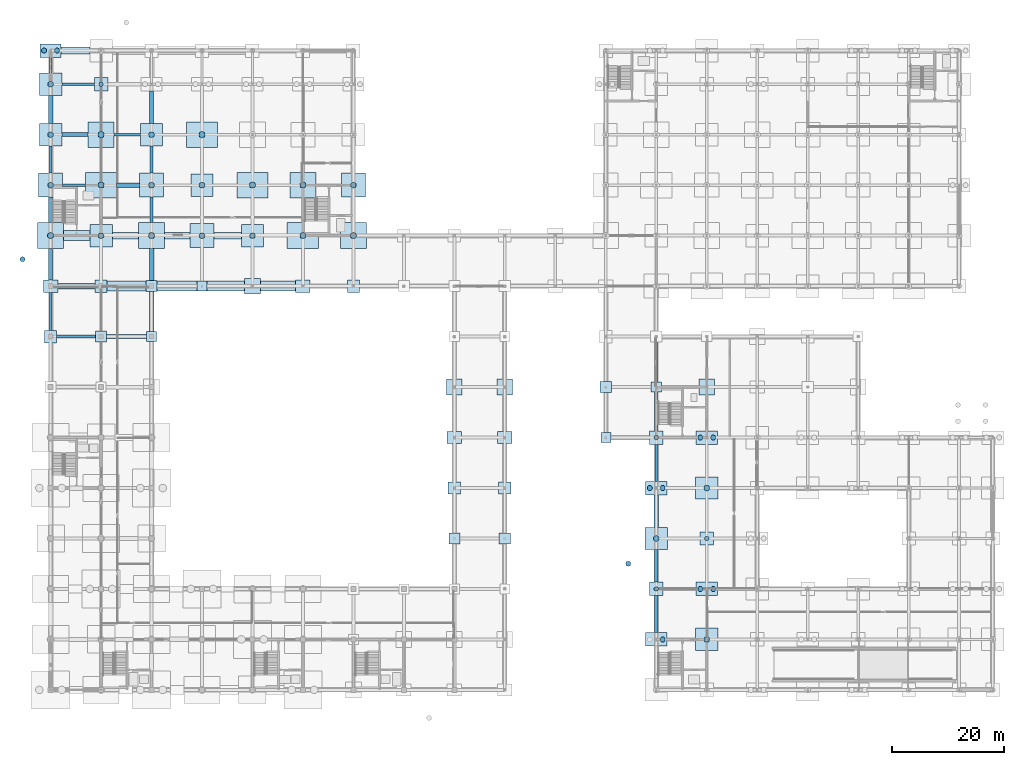
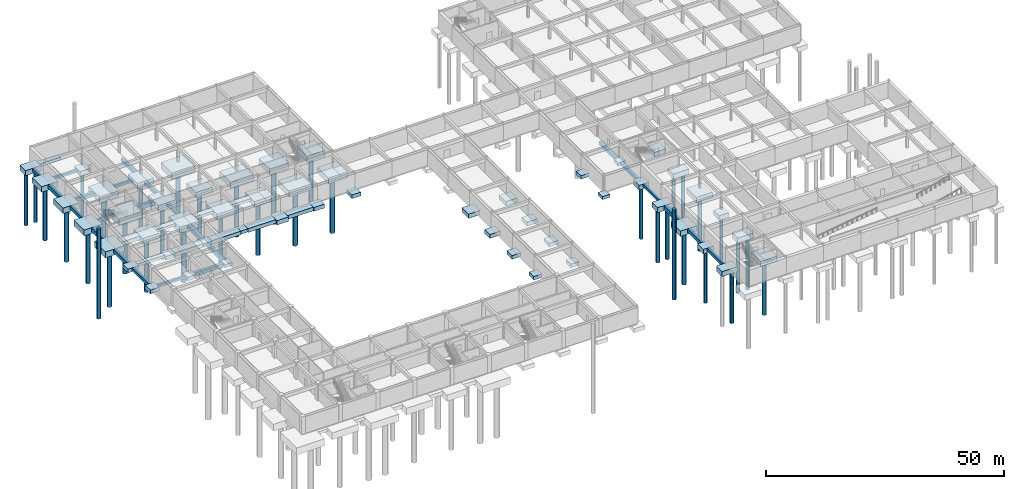
# One storey, part 2 of 41: 87 footings, 37 piles.
"""IFC4 building model written with IfcOpenShell, lengths in metres."""

from ifc_helpers import new_model, si_unit, direction, frame, origin, origin_2d, place, context, subcontext, project, spatial, rectangle, circle, extrude, material, material_profile, profile_set, type_object, element, save


model = new_model("IFC4")

# Units and contexts
model_context = context("Model", 3, precision=1e-05, world=origin(), true_north=direction((0.0, 1.0)))
body_context = subcontext(model_context, "Body", "Model", "MODEL_VIEW")
ifc_project = project(units=[si_unit("LENGTHUNIT", "METRE"), si_unit("AREAUNIT", "SQUARE_METRE"), si_unit("VOLUMEUNIT", "CUBIC_METRE"), si_unit("PLANEANGLEUNIT", "RADIAN"), si_unit("MASSUNIT", "GRAM", prefix="KILO")], contexts=[model_context])

# Site, building, storey
site_placement = place(None, origin())
site = spatial("IfcSite", under=ifc_project, at=site_placement, CompositionType="ELEMENT")
building_placement = place(site_placement, origin())
building = spatial("IfcBuilding", under=site, at=building_placement, Name="Palais des Congres Ocreval", CompositionType="ELEMENT")
storey_placement = place(building_placement, frame((0.0, 0.0, -8.9599609375)))
storey = spatial("IfcBuildingStorey", under=building, at=storey_placement, Name="B2", CompositionType="ELEMENT", Elevation=-8.9599609375)

# Piles
ifc_material = material(Name="Concrete C35/45", Category="concrete")
ifc_material_profile_1 = material_profile(ifc_material, circle(Radius=0.5, at=origin_2d()), Name="BORED PILE 1000")
ifc_profile_set_1 = profile_set([ifc_material_profile_1], Name="Concrete C35/45")
pile_type_1 = type_object("IfcPileType", Name="Bored Pile D1000 Concrete C35/45", PredefinedType="BORED", material=ifc_profile_set_1)
for number, where, z_axis, x_axis, name in (
    (1, (0.0, 90.0, -2.10009765625), (0.0, 0.0, -1.0), (1.0, 0.0, 0.0), "Bored Pile PI03"),
    (2, (0.0, 99.0, -2.0), (0.0, 0.0, -1.0), (1.0, 0.0, 0.0), "Bored Pile PI03"),
    (3, (0.0, 108.0, -2.0), (0.0, 0.0, -1.0), (1.0, 0.0, 0.0), "Bored Pile PI03"),
    (4, (9.0, 81.0, -2.0), (0.0, 0.0, -1.0), (1.0, 0.0, 0.0), "Bored Pile PI03"),
    (5, (18.0, 90.0, -2.10009765625), (0.0, 0.0, -1.0), (1.0, 0.0, 0.0), "Bored Pile PI03"),
    (6, (18.0, 99.0, -2.0), (0.0, 0.0, -1.0), (1.0, 0.0, 0.0), "Bored Pile PI03"),
    (7, (27.0, 81.0, -2.10009765625), (0.0, 0.0, -1.0), (1.0, 0.0, 0.0), "Bored Pile PI03"),
    (8, (27.0, 90.0, -2.0), (0.0, 0.0, -1.0), (1.0, 0.0, 0.0), "Bored Pile PI03"),
    (9, (36.0, 81.0, -2.0), (0.0, 0.0, -1.0), (1.0, 0.0, 0.0), "Bored Pile PI03"),
    (10, (54.0, 90.0, -2.10009765625), (0.0, 0.0, -1.0), (1.0, 0.0, 0.0), "Bored Pile PI03"),
    (11, (108.0, 27.0, -2.0), (0.0, 0.0, -1.0), (1.0, 0.0, 0.0), "Bored Pile PI03"),
    (12, (117.0, 9.0, -2.0), (0.0, 0.0, -1.0), (1.0, 0.0, 0.0), "Bored Pile PI03"),
    (13, (117.0, 36.0, -2.0), (0.0, 0.0, -1.0), (1.0, 0.0, 0.0), "Bored Pile PI03"),
):
    element("IfcPile", number, at=place(storey_placement, frame(where, z_axis=z_axis, x_axis=x_axis)), inside=storey, type_object=pile_type_1, Name=name, PredefinedType="BORED", context=body_context, shape_type="SweptSolid", body=[
        extrude(circle(Radius=0.5, at=origin_2d()), origin(), (0.0, 0.0, 1.0), 14.0),
    ])
ifc_material_profile_2 = material_profile(ifc_material, circle(Radius=0.550048828125, at=origin_2d()), Name="BORED PILE 1100")
ifc_profile_set_2 = profile_set([ifc_material_profile_2], Name="Concrete C35/45")
pile_type_2 = type_object("IfcPileType", Name="Bored Pile D1100 Concrete C35/45", PredefinedType="BORED", material=ifc_profile_set_2)
for number, where, z_axis, x_axis, name in (
    (14, (0.0, 81.0, -2.10009765625), (0.0, 0.0, -1.0), (1.0, 0.0, 0.0), "Bored Pile PI04"),
    (15, (9.0, 90.0, -2.199951171875), (0.0, 0.0, -1.0), (1.0, 0.0, 0.0), "Bored Pile PI04"),
    (16, (9.0, 99.0, -2.10009765625), (0.0, 0.0, -1.0), (1.0, 0.0, 0.0), "Bored Pile PI04"),
    (17, (18.0, 81.0, -2.10009765625), (0.0, 0.0, -1.0), (1.0, 0.0, 0.0), "Bored Pile PI04"),
    (18, (27.0, 99.0, -2.199951171875), (0.0, 0.0, -1.0), (1.0, 0.0, 0.0), "Bored Pile PI04"),
    (19, (36.0, 90.0, -2.199951171875), (0.0, 0.0, -1.0), (1.0, 0.0, 0.0), "Bored Pile PI04"),
    (20, (45.0, 81.0, -2.199951171875), (0.0, 0.0, -1.0), (1.0, 0.0, 0.0), "Bored Pile PI04"),
    (21, (45.0, 90.0, -2.10009765625), (0.0, 0.0, -1.0), (1.0, 0.0, 0.0), "Bored Pile PI04"),
    (22, (54.0, 81.0, -2.10009765625), (0.0, 0.0, -1.0), (1.0, 0.0, 0.0), "Bored Pile PI04"),
):
    element("IfcPile", number, at=place(storey_placement, frame(where, z_axis=z_axis, x_axis=x_axis)), inside=storey, type_object=pile_type_2, Name=name, PredefinedType="BORED", context=body_context, shape_type="SweptSolid", body=[
        extrude(circle(Radius=0.550048828125, at=origin_2d()), origin(), (0.0, 0.0, 1.0), 14.5),
    ])
ifc_material_profile_3 = material_profile(ifc_material, circle(Radius=0.39990234375, at=origin_2d()), Name="BORED PILE 800")
ifc_profile_set_3 = profile_set([ifc_material_profile_3], Name="Concrete C35/45")
pile_type_3 = type_object("IfcPileType", Name="Bored Pile D800 Concrete C35/45", PredefinedType="BORED", material=ifc_profile_set_3)
for number, where, z_axis, x_axis, name in (
    (23, (9.0, 108.0, -1.800048828125), (0.0, 0.0, -1.0), (1.0, 0.0, 0.0), "Bored Pile PI01"),
    (24, (108.0, 18.0, -1.800048828125), (0.0, 0.0, -1.0), (1.0, 0.0, 0.0), "Bored Pile PI01"),
    (25, (108.0, 45.0, -1.800048828125), (0.0, 0.0, -1.0), (1.0, 0.0, 0.0), "Bored Pile PI01"),
    (26, (117.0, 27.0, -1.800048828125), (0.0, 0.0, -1.0), (1.0, 0.0, 0.0), "Bored Pile PI01"),
):
    element("IfcPile", number, at=place(storey_placement, frame(where, z_axis=z_axis, x_axis=x_axis)), inside=storey, type_object=pile_type_3, Name=name, PredefinedType="BORED", context=body_context, shape_type="SweptSolid", body=[
        extrude(circle(Radius=0.39990234375, at=origin_2d()), origin(), (0.0, 0.0, 1.0), 13.5),
    ])
ifc_material_profile_4 = material_profile(ifc_material, circle(Radius=0.449951171875, at=origin_2d()), Name="BORED PILE 900")
ifc_profile_set_4 = profile_set([ifc_material_profile_4], Name="Concrete C35/45")
pile_type_4 = type_object("IfcPileType", Name="Bored Pile D900 Concrete C35/45", PredefinedType="BORED", material=ifc_profile_set_4)
for number, where, z_axis, x_axis, name in (
    (27, (-1.14990234375, 114.0, -1.900146484375), (0.0, 0.0, -1.0), (1.0, 0.0, 0.0), "Bored Pile PI02"),
    (28, (1.14990234375, 114.0, -1.900146484375), (0.0, 0.0, -1.0), (1.0, 0.0, 0.0), "Bored Pile PI02"),
    (29, (109.14990234375, 9.0, -1.900146484375), (0.0, 0.0, -1.0), (1.0, 0.0, 0.0), "Bored Pile PI02"),
    (30, (106.85009765625, 36.0, -1.900146484375), (0.0, 0.0, -1.0), (1.0, 0.0, 0.0), "Bored Pile PI02"),
    (31, (109.14990234375, 36.0, -1.900146484375), (0.0, 0.0, -1.0), (1.0, 0.0, 0.0), "Bored Pile PI02"),
    (32, (115.85009765625, 18.0, -1.900146484375), (0.0, 0.0, -1.0), (1.0, 0.0, 0.0), "Bored Pile PI02"),
    (33, (118.14990234375, 18.0, -1.900146484375), (0.0, 0.0, -1.0), (1.0, 0.0, 0.0), "Bored Pile PI02"),
    (34, (115.85009765625, 45.0, -1.900146484375), (0.0, 0.0, -1.0), (1.0, 0.0, 0.0), "Bored Pile PI02"),
    (35, (118.14990234375, 45.0, -1.900146484375), (0.0, 0.0, -1.0), (1.0, 0.0, 0.0), "Bored Pile PI02"),
):
    element("IfcPile", number, at=place(storey_placement, frame(where, z_axis=z_axis, x_axis=x_axis)), inside=storey, type_object=pile_type_4, Name=name, PredefinedType="BORED", context=body_context, shape_type="SweptSolid", body=[
        extrude(circle(Radius=0.449951171875, at=origin_2d()), origin(), (0.0, 0.0, 1.0), 13.5),
    ])
for number, where, z_axis, x_axis, name in (
    (36, (-5.0, 76.800048828125, 7.679931640625), (0.0, 0.0, -1.0), (1.0, 0.0, 0.0), "West Forecourt Accessible PMR Ramp R3 Threshold Bored Pile"),
    (37, (103.0, 22.5, 7.679931640625), (0.0, 0.0, -1.0), (1.0, 0.0, 0.0), "Cour d Ocre Cloister Accessible PMR Ramp R5 Threshold Bored Pile"),
):
    element("IfcPile", number, at=place(storey_placement, frame(where, z_axis=z_axis, x_axis=x_axis)), inside=storey, type_object=pile_type_4, Name=name, PredefinedType="BORED", context=body_context, shape_type="SweptSolid", body=[
        extrude(circle(Radius=0.449951171875, at=origin_2d()), origin(), (0.0, 0.0, 1.0), 23.080078125),
    ])

# Footings
footing_type_1 = type_object("IfcFootingType", Name="Ground Tie Beam 500x700 Concrete C35/45", PredefinedType="FOOTING_BEAM", material=ifc_material)
footing_1_placement = place(storey_placement, frame((4.550048828125, 63.0, -1.2998046875), z_axis=(0.0, 0.0, 1.0), x_axis=(1.0, 0.0, 0.0)))
element("IfcFooting", 38, at=footing_1_placement, inside=storey, type_object=footing_type_1, Name="Foundation Beam TB04", PredefinedType="FOOTING_BEAM", context=body_context, shape_type="SweptSolid", body=[
    extrude(rectangle(XDim=6.89990234375, YDim=0.5, at=origin_2d()), origin(), (0.0, 0.0, 1.0), 0.699951171875),
])
footing_2_placement = place(storey_placement, frame((4.175048828125, 90.0, -1.2998046875), z_axis=(0.0, 0.0, 1.0), x_axis=(1.0, 0.0, 0.0)))
element("IfcFooting", 39, at=footing_2_placement, inside=storey, type_object=footing_type_1, Name="Foundation Beam TB04", PredefinedType="FOOTING_BEAM", context=body_context, shape_type="SweptSolid", body=[
    extrude(rectangle(XDim=4.050048828125, YDim=0.5, at=origin_2d()), origin(), (0.0, 0.0, 1.0), 0.699951171875),
])
footing_3_placement = place(storey_placement, frame((4.89990234375, 108.0, -1.2998046875), z_axis=(0.0, 0.0, 1.0), x_axis=(1.0, 0.0, 0.0)))
element("IfcFooting", 40, at=footing_3_placement, inside=storey, type_object=footing_type_1, Name="Foundation Beam TB04", PredefinedType="FOOTING_BEAM", context=body_context, shape_type="SweptSolid", body=[
    extrude(rectangle(XDim=5.800048828125, YDim=0.5, at=origin_2d()), origin(), (0.0, 0.0, 1.0), 0.699951171875),
])
footing_4_placement = place(storey_placement, frame((13.64990234375, 99.0, -1.2998046875), z_axis=(0.0, 0.0, 1.0), x_axis=(1.0, 0.0, 0.0)))
element("IfcFooting", 41, at=footing_4_placement, inside=storey, type_object=footing_type_1, Name="Foundation Beam TB04", PredefinedType="FOOTING_BEAM", context=body_context, shape_type="SweptSolid", body=[
    extrude(rectangle(XDim=4.699951171875, YDim=0.5, at=origin_2d()), origin(), (0.0, 0.0, 1.0), 0.699951171875),
])
footing_5_placement = place(storey_placement, frame((18.0, 85.574951171875, -1.2998046875), z_axis=(0.0, 0.0, 1.0), x_axis=(0.0, 1.0, 0.0)))
element("IfcFooting", 42, at=footing_5_placement, inside=storey, type_object=footing_type_1, Name="Foundation Beam TB04", PredefinedType="FOOTING_BEAM", context=body_context, shape_type="SweptSolid", body=[
    extrude(rectangle(XDim=4.550048828125, YDim=0.5, at=origin_2d()), origin(), (0.0, 0.0, 1.0), 0.699951171875),
])
footing_6_placement = place(storey_placement, frame((108.0, 40.5, -1.2998046875), z_axis=(0.0, 0.0, 1.0), x_axis=(0.0, 1.0, 0.0)))
element("IfcFooting", 43, at=footing_6_placement, inside=storey, type_object=footing_type_1, Name="Foundation Beam TB04", PredefinedType="FOOTING_BEAM", context=body_context, shape_type="SweptSolid", body=[
    extrude(rectangle(XDim=6.60009765625, YDim=0.5, at=origin_2d()), origin(), (0.0, 0.0, 1.0), 0.699951171875),
])
footing_type_2 = type_object("IfcFootingType", Name="Ground Tie Beam 600x800 Concrete C35/45", PredefinedType="FOOTING_BEAM", material=ifc_material)
footing_7_placement = place(storey_placement, frame((0.0, 67.5, -1.39990234375), z_axis=(0.0, 0.0, 1.0), x_axis=(0.0, 1.0, 0.0)))
element("IfcFooting", 44, at=footing_7_placement, inside=storey, type_object=footing_type_2, Name="Foundation Beam TB01", PredefinedType="FOOTING_BEAM", context=body_context, shape_type="SweptSolid", body=[
    extrude(rectangle(XDim=6.800048828125, YDim=0.60009765625, at=origin_2d()), origin(), (0.0, 0.0, 1.0), 0.800048828125),
])
footing_8_placement = place(storey_placement, frame((0.0, 94.574951171875, -1.39990234375), z_axis=(0.0, 0.0, 1.0), x_axis=(0.0, 1.0, 0.0)))
element("IfcFooting", 45, at=footing_8_placement, inside=storey, type_object=footing_type_2, Name="Foundation Beam TB01", PredefinedType="FOOTING_BEAM", context=body_context, shape_type="SweptSolid", body=[
    extrude(rectangle(XDim=4.85009765625, YDim=0.60009765625, at=origin_2d()), origin(), (0.0, 0.0, 1.0), 0.800048828125),
])
footing_9_placement = place(storey_placement, frame((0.0, 111.39990234375, -1.39990234375), z_axis=(0.0, 0.0, 1.0), x_axis=(0.0, 1.0, 0.0)))
element("IfcFooting", 46, at=footing_9_placement, inside=storey, type_object=footing_type_2, Name="Foundation Beam TB01", PredefinedType="FOOTING_BEAM", context=body_context, shape_type="SweptSolid", body=[
    extrude(rectangle(XDim=2.800048828125, YDim=0.60009765625, at=origin_2d()), origin(), (0.0, 0.0, 1.0), 0.800048828125),
])
footing_10_placement = place(storey_placement, frame((18.0, 94.574951171875, -1.39990234375), z_axis=(0.0, 0.0, 1.0), x_axis=(0.0, 1.0, 0.0)))
element("IfcFooting", 47, at=footing_10_placement, inside=storey, type_object=footing_type_2, Name="Foundation Beam TB01", PredefinedType="FOOTING_BEAM", context=body_context, shape_type="SweptSolid", body=[
    extrude(rectangle(XDim=4.85009765625, YDim=0.60009765625, at=origin_2d()), origin(), (0.0, 0.0, 1.0), 0.800048828125),
])
footing_11_placement = place(storey_placement, frame((108.0, 13.5, -1.39990234375), z_axis=(0.0, 0.0, 1.0), x_axis=(0.0, 1.0, 0.0)))
element("IfcFooting", 48, at=footing_11_placement, inside=storey, type_object=footing_type_2, Name="Foundation Beam TB01", PredefinedType="FOOTING_BEAM", context=body_context, shape_type="SweptSolid", body=[
    extrude(rectangle(XDim=6.60009765625, YDim=0.60009765625, at=origin_2d()), origin(), (0.0, 0.0, 1.0), 0.800048828125),
])
footing_12_placement = place(storey_placement, frame((108.0, 49.64990234375, -1.39990234375), z_axis=(0.0, 0.0, 1.0), x_axis=(0.0, 1.0, 0.0)))
element("IfcFooting", 49, at=footing_12_placement, inside=storey, type_object=footing_type_2, Name="Foundation Beam TB01", PredefinedType="FOOTING_BEAM", context=body_context, shape_type="SweptSolid", body=[
    extrude(rectangle(XDim=6.89990234375, YDim=0.60009765625, at=origin_2d()), origin(), (0.0, 0.0, 1.0), 0.800048828125),
])
footing_type_3 = type_object("IfcFootingType", Name="Ground Tie Beam 700x900 Concrete C35/45", PredefinedType="FOOTING_BEAM", material=ifc_material)
footing_13_placement = place(storey_placement, frame((0.0, 75.89990234375, -1.5), z_axis=(0.0, 0.0, 1.0), x_axis=(0.0, 1.0, 0.0)))
element("IfcFooting", 50, at=footing_13_placement, inside=storey, type_object=footing_type_3, Name="Foundation Beam TB02", PredefinedType="FOOTING_BEAM", context=body_context, shape_type="SweptSolid", body=[
    extrude(rectangle(XDim=5.60009765625, YDim=0.699951171875, at=origin_2d()), origin(), (0.0, 0.0, 1.0), 0.89990234375),
])
footing_14_placement = place(storey_placement, frame((4.35009765625, 99.0, -1.5), z_axis=(0.0, 0.0, 1.0), x_axis=(1.0, 0.0, 0.0)))
element("IfcFooting", 51, at=footing_14_placement, inside=storey, type_object=footing_type_3, Name="Foundation Beam TB02", PredefinedType="FOOTING_BEAM", context=body_context, shape_type="SweptSolid", body=[
    extrude(rectangle(XDim=4.699951171875, YDim=0.699951171875, at=origin_2d()), origin(), (0.0, 0.0, 1.0), 0.89990234375),
])
for number, where, z_axis, x_axis, name in (
    (52, (13.550048828125, 63.0, -1.5), (0.0, 0.0, 1.0), (1.0, 0.0, 0.0), "Foundation Beam TB02"),
    (53, (18.0, 67.449951171875, -1.5), (0.0, 0.0, 1.0), (0.0, 1.0, 0.0), "Foundation Beam TB02"),
):
    element("IfcFooting", number, at=place(storey_placement, frame(where, z_axis=z_axis, x_axis=x_axis)), inside=storey, type_object=footing_type_3, Name=name, PredefinedType="FOOTING_BEAM", context=body_context, shape_type="SweptSolid", body=[
        extrude(rectangle(XDim=7.10009765625, YDim=0.699951171875, at=origin_2d()), origin(), (0.0, 0.0, 1.0), 0.89990234375),
    ])
for number, where, z_axis, x_axis, name in (
    (54, (18.0, 103.89990234375, -1.5), (0.0, 0.0, 1.0), (0.0, 1.0, 0.0), "Foundation Beam TB02"),
    (55, (108.0, 22.10009765625, -1.5), (0.0, 0.0, 1.0), (0.0, 1.0, 0.0), "Foundation Beam TB02"),
):
    element("IfcFooting", number, at=place(storey_placement, frame(where, z_axis=z_axis, x_axis=x_axis)), inside=storey, type_object=footing_type_3, Name=name, PredefinedType="FOOTING_BEAM", context=body_context, shape_type="SweptSolid", body=[
        extrude(rectangle(XDim=5.800048828125, YDim=0.699951171875, at=origin_2d()), origin(), (0.0, 0.0, 1.0), 0.89990234375),
    ])
footing_15_placement = place(storey_placement, frame((108.0, 58.449951171875, -1.5), z_axis=(0.0, 0.0, 1.0), x_axis=(0.0, 1.0, 0.0)))
element("IfcFooting", 56, at=footing_15_placement, inside=storey, type_object=footing_type_3, Name="Foundation Beam TB02", PredefinedType="FOOTING_BEAM", context=body_context, shape_type="SweptSolid", body=[
    extrude(rectangle(XDim=7.10009765625, YDim=0.699951171875, at=origin_2d()), origin(), (0.0, 0.0, 1.0), 0.89990234375),
])
footing_type_4 = type_object("IfcFootingType", Name="Ground Tie Beam 800x1000 Concrete C35/45", PredefinedType="FOOTING_BEAM", material=ifc_material)
footing_16_placement = place(storey_placement, frame((0.0, 85.574951171875, -1.60009765625), z_axis=(0.0, 0.0, 1.0), x_axis=(0.0, 1.0, 0.0)))
element("IfcFooting", 57, at=footing_16_placement, inside=storey, type_object=footing_type_4, Name="Foundation Beam TB03", PredefinedType="FOOTING_BEAM", context=body_context, shape_type="SweptSolid", body=[
    extrude(rectangle(XDim=4.550048828125, YDim=0.800048828125, at=origin_2d()), origin(), (0.0, 0.0, 1.0), 1.0),
])
footing_17_placement = place(storey_placement, frame((0.0, 103.5, -1.60009765625), z_axis=(0.0, 0.0, 1.0), x_axis=(0.0, 1.0, 0.0)))
element("IfcFooting", 58, at=footing_17_placement, inside=storey, type_object=footing_type_4, Name="Foundation Beam TB03", PredefinedType="FOOTING_BEAM", context=body_context, shape_type="SweptSolid", body=[
    extrude(rectangle(XDim=5.0, YDim=0.800048828125, at=origin_2d()), origin(), (0.0, 0.0, 1.0), 1.0),
])
footing_18_placement = place(storey_placement, frame((13.824951171875, 90.0, -1.60009765625), z_axis=(0.0, 0.0, 1.0), x_axis=(1.0, 0.0, 0.0)))
element("IfcFooting", 59, at=footing_18_placement, inside=storey, type_object=footing_type_4, Name="Foundation Beam TB03", PredefinedType="FOOTING_BEAM", context=body_context, shape_type="SweptSolid", body=[
    extrude(rectangle(XDim=4.050048828125, YDim=0.800048828125, at=origin_2d()), origin(), (0.0, 0.0, 1.0), 1.0),
])
footing_19_placement = place(storey_placement, frame((18.0, 75.85009765625, -1.60009765625), z_axis=(0.0, 0.0, 1.0), x_axis=(0.0, 1.0, 0.0)))
element("IfcFooting", 60, at=footing_19_placement, inside=storey, type_object=footing_type_4, Name="Foundation Beam TB03", PredefinedType="FOOTING_BEAM", context=body_context, shape_type="SweptSolid", body=[
    extrude(rectangle(XDim=5.699951171875, YDim=0.800048828125, at=origin_2d()), origin(), (0.0, 0.0, 1.0), 1.0),
])
footing_20_placement = place(storey_placement, frame((108.0, 31.89990234375, -1.60009765625), z_axis=(0.0, 0.0, 1.0), x_axis=(0.0, 1.0, 0.0)))
element("IfcFooting", 61, at=footing_20_placement, inside=storey, type_object=footing_type_4, Name="Foundation Beam TB03", PredefinedType="FOOTING_BEAM", context=body_context, shape_type="SweptSolid", body=[
    extrude(rectangle(XDim=5.800048828125, YDim=0.800048828125, at=origin_2d()), origin(), (0.0, 0.0, 1.0), 1.0),
])
footing_type_5 = type_object("IfcFootingType", Name="Pad Footing 1800x1800x800 Concrete C35/45", PredefinedType="PAD_FOOTING", material=ifc_material)
for number, where, z_axis, x_axis, name in (
    (62, (18.0, 63.0, -1.39990234375), (0.0, 0.0, 1.0), (1.0, 0.0, 0.0), "Foundation PF01 (18,63)"),
    (63, (27.0, 72.0, -1.39990234375), (0.0, 0.0, 1.0), (1.0, 0.0, 0.0), "Foundation PF01 (27,72)"),
    (64, (99.0, 45.0, -1.39990234375), (0.0, 0.0, 1.0), (1.0, 0.0, 0.0), "Foundation PF01 (99,45)"),
    (65, (108.0, 54.0, -1.39990234375), (0.0, 0.0, 1.0), (1.0, 0.0, 0.0), "Foundation PF01 (108,54)"),
):
    element("IfcFooting", number, at=place(storey_placement, frame(where, z_axis=z_axis, x_axis=x_axis)), inside=storey, type_object=footing_type_5, Name=name, PredefinedType="PAD_FOOTING", context=body_context, shape_type="SweptSolid", body=[
        extrude(rectangle(XDim=1.800048828125, YDim=1.800048828125, at=origin_2d()), origin(), (0.0, 0.0, 1.0), 0.800048828125),
    ])
footing_type_6 = type_object("IfcFootingType", Name="Pad Footing 2000x2000x900 Concrete C35/45", PredefinedType="PAD_FOOTING", material=ifc_material)
for number, where, z_axis, x_axis, name in (
    (66, (9.0, 63.0, -1.5), (0.0, 0.0, 1.0), (1.0, 0.0, 0.0), "Foundation PF02 (9,63)"),
    (67, (18.0, 72.0, -1.5), (0.0, 0.0, 1.0), (1.0, 0.0, 0.0), "Foundation PF02 (18,72)"),
    (68, (72.0, 27.0, -1.5), (0.0, 0.0, 1.0), (1.0, 0.0, 0.0), "Foundation PF02 (72,27)"),
    (69, (81.0, 27.0, -1.5), (0.0, 0.0, 1.0), (1.0, 0.0, 0.0), "Foundation PF02 (81,27)"),
    (70, (99.0, 54.0, -1.5), (0.0, 0.0, 1.0), (1.0, 0.0, 0.0), "Foundation PF02 (99,54)"),
):
    element("IfcFooting", number, at=place(storey_placement, frame(where, z_axis=z_axis, x_axis=x_axis)), inside=storey, type_object=footing_type_6, Name=name, PredefinedType="PAD_FOOTING", context=body_context, shape_type="SweptSolid", body=[
        extrude(rectangle(XDim=2.0, YDim=2.0, at=origin_2d()), origin(), (0.0, 0.0, 1.0), 0.89990234375),
    ])
footing_type_7 = type_object("IfcFootingType", Name="Pad Footing 2200x2200x950 Concrete C35/45", PredefinedType="PAD_FOOTING", material=ifc_material)
for number, where, z_axis, x_axis, name in (
    (71, (0.0, 63.0, -1.5498046875), (0.0, 0.0, 1.0), (1.0, 0.0, 0.0), "Foundation PF03 (0,63)"),
    (72, (9.0, 72.0, -1.5498046875), (0.0, 0.0, 1.0), (1.0, 0.0, 0.0), "Foundation PF03 (9,72)"),
    (73, (54.0, 72.0, -1.5498046875), (0.0, 0.0, 1.0), (1.0, 0.0, 0.0), "Foundation PF03 (54,72)"),
    (74, (72.0, 36.0, -1.5498046875), (0.0, 0.0, 1.0), (1.0, 0.0, 0.0), "Foundation PF03 (72,36)"),
    (75, (81.0, 36.0, -1.5498046875), (0.0, 0.0, 1.0), (1.0, 0.0, 0.0), "Foundation PF03 (81,36)"),
):
    element("IfcFooting", number, at=place(storey_placement, frame(where, z_axis=z_axis, x_axis=x_axis)), inside=storey, type_object=footing_type_7, Name=name, PredefinedType="PAD_FOOTING", context=body_context, shape_type="SweptSolid", body=[
        extrude(rectangle(XDim=2.199951171875, YDim=2.199951171875, at=origin_2d()), origin(), (0.0, 0.0, 1.0), 0.949951171875),
    ])
footing_type_8 = type_object("IfcFootingType", Name="Pad Footing 2600x2200x1000 Concrete C35/45", PredefinedType="PAD_FOOTING", material=ifc_material)
for number, where, z_axis, x_axis, name in (
    (76, (0.0, 72.0, -1.60009765625), (0.0, 0.0, 1.0), (1.0, 0.0, 0.0), "Foundation PF04 (0,72)"),
    (77, (45.0, 72.0, -1.60009765625), (0.0, 0.0, 1.0), (1.0, 0.0, 0.0), "Foundation PF04 (45,72)"),
    (78, (72.0, 45.0, -1.60009765625), (0.0, 0.0, 1.0), (1.0, 0.0, 0.0), "Foundation PF04 (72,45)"),
    (79, (81.0, 45.0, -1.60009765625), (0.0, 0.0, 1.0), (1.0, 0.0, 0.0), "Foundation PF04 (81,45)"),
):
    element("IfcFooting", number, at=place(storey_placement, frame(where, z_axis=z_axis, x_axis=x_axis)), inside=storey, type_object=footing_type_8, Name=name, PredefinedType="PAD_FOOTING", context=body_context, shape_type="SweptSolid", body=[
        extrude(rectangle(XDim=2.60009765625, YDim=2.199951171875, at=origin_2d()), origin(), (0.0, 0.0, 1.0), 1.0),
    ])
footing_type_9 = type_object("IfcFootingType", Name="Pad Footing 2800x2800x1100 Concrete C35/45", PredefinedType="PAD_FOOTING", material=ifc_material)
for number, where, z_axis, x_axis, name in (
    (80, (36.0, 72.0, -1.7001953125), (0.0, 0.0, 1.0), (1.0, 0.0, 0.0), "Foundation PF05 (36,72)"),
    (81, (72.0, 54.0, -1.7001953125), (0.0, 0.0, 1.0), (1.0, 0.0, 0.0), "Foundation PF05 (72,54)"),
    (82, (81.0, 54.0, -1.7001953125), (0.0, 0.0, 1.0), (1.0, 0.0, 0.0), "Foundation PF05 (81,54)"),
    (83, (117.0, 54.0, -1.7001953125), (0.0, 0.0, 1.0), (1.0, 0.0, 0.0), "Foundation PF05 (117,54)"),
):
    element("IfcFooting", number, at=place(storey_placement, frame(where, z_axis=z_axis, x_axis=x_axis)), inside=storey, type_object=footing_type_9, Name=name, PredefinedType="PAD_FOOTING", context=body_context, shape_type="SweptSolid", body=[
        extrude(rectangle(XDim=2.800048828125, YDim=2.800048828125, at=origin_2d()), origin(), (0.0, 0.0, 1.0), 1.10009765625),
    ])
footing_type_10 = type_object("IfcFootingType", Name="Pile Cap 2400x2400x1200 Concrete C35/45", PredefinedType="PILE_CAP", material=ifc_material)
for number, where, z_axis, x_axis, name in (
    (84, (9.0, 108.0, -1.7998046875), (0.0, 0.0, 1.0), (1.0, 0.0, 0.0), "Foundation PC01 (9,108)"),
    (85, (108.0, 18.0, -1.7998046875), (0.0, 0.0, 1.0), (1.0, 0.0, 0.0), "Foundation PC01 (108,18)"),
    (86, (108.0, 45.0, -1.7998046875), (0.0, 0.0, 1.0), (1.0, 0.0, 0.0), "Foundation PC01 (108,45)"),
    (87, (117.0, 27.0, -1.7998046875), (0.0, 0.0, 1.0), (1.0, 0.0, 0.0), "Foundation PC01 (117,27)"),
):
    element("IfcFooting", number, at=place(storey_placement, frame(where, z_axis=z_axis, x_axis=x_axis)), inside=storey, type_object=footing_type_10, Name=name, PredefinedType="PILE_CAP", context=body_context, shape_type="SweptSolid", body=[
        extrude(rectangle(XDim=2.39990234375, YDim=2.39990234375, at=origin_2d()), origin(), (0.0, 0.0, 1.0), 1.199951171875),
    ])
footing_type_11 = type_object("IfcFootingType", Name="Pile Cap 3800x2400x1300 Concrete C35/45", PredefinedType="PILE_CAP", material=ifc_material)
for number, where, z_axis, x_axis, name in (
    (88, (0.0, 114.0, -1.89990234375), (0.0, 0.0, 1.0), (1.0, 0.0, 0.0), "Foundation PC02 (0,114)"),
    (89, (108.0, 9.0, -1.89990234375), (0.0, 0.0, 1.0), (1.0, 0.0, 0.0), "Foundation PC02 (108,9)"),
    (90, (108.0, 36.0, -1.89990234375), (0.0, 0.0, 1.0), (1.0, 0.0, 0.0), "Foundation PC02 (108,36)"),
    (91, (117.0, 18.0, -1.89990234375), (0.0, 0.0, 1.0), (1.0, 0.0, 0.0), "Foundation PC02 (117,18)"),
    (92, (117.0, 45.0, -1.89990234375), (0.0, 0.0, 1.0), (1.0, 0.0, 0.0), "Foundation PC02 (117,45)"),
):
    element("IfcFooting", number, at=place(storey_placement, frame(where, z_axis=z_axis, x_axis=x_axis)), inside=storey, type_object=footing_type_11, Name=name, PredefinedType="PILE_CAP", context=body_context, shape_type="SweptSolid", body=[
        extrude(rectangle(XDim=3.800048828125, YDim=2.39990234375, at=origin_2d()), origin(), (0.0, 0.0, 1.0), 1.300048828125),
    ])
footing_type_12 = type_object("IfcFootingType", Name="Pile Cap 4000x4000x1400 Concrete C35/45", PredefinedType="PILE_CAP", material=ifc_material)
for number, where, z_axis, x_axis, name in (
    (93, (0.0, 99.0, -2.0), (0.0, 0.0, 1.0), (1.0, 0.0, 0.0), "Foundation PC03 (0,99)"),
    (94, (0.0, 108.0, -2.0), (0.0, 0.0, 1.0), (1.0, 0.0, 0.0), "Foundation PC03 (0,108)"),
    (95, (9.0, 81.0, -2.0), (0.0, 0.0, 1.0), (1.0, 0.0, 0.0), "Foundation PC03 (9,81)"),
    (96, (18.0, 99.0, -2.0), (0.0, 0.0, 1.0), (1.0, 0.0, 0.0), "Foundation PC03 (18,99)"),
    (97, (27.0, 90.0, -2.0), (0.0, 0.0, 1.0), (1.0, 0.0, 0.0), "Foundation PC03 (27,90)"),
    (98, (36.0, 81.0, -2.0), (0.0, 0.0, 1.0), (1.0, 0.0, 0.0), "Foundation PC03 (36,81)"),
    (99, (108.0, 27.0, -2.0), (0.0, 0.0, 1.0), (1.0, 0.0, 0.0), "Foundation PC03 (108,27)"),
    (100, (117.0, 9.0, -2.0), (0.0, 0.0, 1.0), (1.0, 0.0, 0.0), "Foundation PC03 (117,9)"),
    (101, (117.0, 36.0, -2.0), (0.0, 0.0, 1.0), (1.0, 0.0, 0.0), "Foundation PC03 (117,36)"),
):
    element("IfcFooting", number, at=place(storey_placement, frame(where, z_axis=z_axis, x_axis=x_axis)), inside=storey, type_object=footing_type_12, Name=name, PredefinedType="PILE_CAP", context=body_context, shape_type="SweptSolid", body=[
        extrude(rectangle(XDim=4.0, YDim=4.0, at=origin_2d()), origin(), (0.0, 0.0, 1.0), 1.39990234375),
    ])
footing_type_13 = type_object("IfcFootingType", Name="Pile Cap 4300x4300x1500 Concrete C35/45", PredefinedType="PILE_CAP", material=ifc_material)
for number, where, z_axis, x_axis, name in (
    (102, (0.0, 90.0, -2.10009765625), (0.0, 0.0, 1.0), (1.0, 0.0, 0.0), "Foundation PC04 (0,90)"),
    (103, (18.0, 90.0, -2.10009765625), (0.0, 0.0, 1.0), (1.0, 0.0, 0.0), "Foundation PC04 (18,90)"),
    (104, (27.0, 81.0, -2.10009765625), (0.0, 0.0, 1.0), (1.0, 0.0, 0.0), "Foundation PC04 (27,81)"),
    (105, (54.0, 90.0, -2.10009765625), (0.0, 0.0, 1.0), (1.0, 0.0, 0.0), "Foundation PC04 (54,90)"),
):
    element("IfcFooting", number, at=place(storey_placement, frame(where, z_axis=z_axis, x_axis=x_axis)), inside=storey, type_object=footing_type_13, Name=name, PredefinedType="PILE_CAP", context=body_context, shape_type="SweptSolid", body=[
        extrude(rectangle(XDim=4.300048828125, YDim=4.300048828125, at=origin_2d()), origin(), (0.0, 0.0, 1.0), 1.5),
    ])
footing_type_14 = type_object("IfcFootingType", Name="Pile Cap 4600x4600x1500 Concrete C35/45", PredefinedType="PILE_CAP", material=ifc_material)
for number, where, z_axis, x_axis, name in (
    (106, (0.0, 81.0, -2.10009765625), (0.0, 0.0, 1.0), (1.0, 0.0, 0.0), "Foundation PC05 (0,81)"),
    (107, (9.0, 99.0, -2.10009765625), (0.0, 0.0, 1.0), (1.0, 0.0, 0.0), "Foundation PC05 (9,99)"),
    (108, (18.0, 81.0, -2.10009765625), (0.0, 0.0, 1.0), (1.0, 0.0, 0.0), "Foundation PC05 (18,81)"),
    (109, (45.0, 90.0, -2.10009765625), (0.0, 0.0, 1.0), (1.0, 0.0, 0.0), "Foundation PC05 (45,90)"),
    (110, (54.0, 81.0, -2.10009765625), (0.0, 0.0, 1.0), (1.0, 0.0, 0.0), "Foundation PC05 (54,81)"),
):
    element("IfcFooting", number, at=place(storey_placement, frame(where, z_axis=z_axis, x_axis=x_axis)), inside=storey, type_object=footing_type_14, Name=name, PredefinedType="PILE_CAP", context=body_context, shape_type="SweptSolid", body=[
        extrude(rectangle(XDim=4.60009765625, YDim=4.60009765625, at=origin_2d()), origin(), (0.0, 0.0, 1.0), 1.5),
    ])
footing_type_15 = type_object("IfcFootingType", Name="Pile Cap 5600x4600x1600 Concrete C35/45", PredefinedType="PILE_CAP", material=ifc_material)
for number, where, z_axis, x_axis, name in (
    (111, (9.0, 90.0, -2.2001953125), (0.0, 0.0, 1.0), (1.0, 0.0, 0.0), "Foundation PC07 (9,90)"),
    (112, (27.0, 99.0, -2.2001953125), (0.0, 0.0, 1.0), (1.0, 0.0, 0.0), "Foundation PC07 (27,99)"),
    (113, (36.0, 90.0, -2.2001953125), (0.0, 0.0, 1.0), (1.0, 0.0, 0.0), "Foundation PC07 (36,90)"),
    (114, (45.0, 81.0, -2.2001953125), (0.0, 0.0, 1.0), (1.0, 0.0, 0.0), "Foundation PC07 (45,81)"),
):
    element("IfcFooting", number, at=place(storey_placement, frame(where, z_axis=z_axis, x_axis=x_axis)), inside=storey, type_object=footing_type_15, Name=name, PredefinedType="PILE_CAP", context=body_context, shape_type="SweptSolid", body=[
        extrude(rectangle(XDim=5.60009765625, YDim=4.60009765625, at=origin_2d()), origin(), (0.0, 0.0, 1.0), 1.60009765625),
    ])
footing_type_16 = type_object("IfcFootingType", Name="Wall Strip Footing 1000x650 Concrete C35/45", PredefinedType="STRIP_FOOTING", material=ifc_material)
footing_21_placement = place(storey_placement, frame((4.60009765625, 72.0, -1.25), z_axis=(0.0, 0.0, 1.0), x_axis=(1.0, 0.0, 0.0)))
element("IfcFooting", 115, at=footing_21_placement, inside=storey, type_object=footing_type_16, Name="Foundation Beam SF04", PredefinedType="STRIP_FOOTING", context=body_context, shape_type="SweptSolid", body=[
    extrude(rectangle(XDim=6.60009765625, YDim=1.0, at=origin_2d()), origin(), (0.0, 0.0, 1.0), 0.64990234375),
])
footing_type_17 = type_object("IfcFootingType", Name="Wall Strip Footing 1200x700 Concrete C35/45", PredefinedType="STRIP_FOOTING", material=ifc_material)
footing_22_placement = place(storey_placement, frame((4.449951171875, 114.0, -1.2998046875), z_axis=(0.0, 0.0, 1.0), x_axis=(1.0, 0.0, 0.0)))
element("IfcFooting", 116, at=footing_22_placement, inside=storey, type_object=footing_type_17, Name="Foundation Beam SF01", PredefinedType="STRIP_FOOTING", context=body_context, shape_type="SweptSolid", body=[
    extrude(rectangle(XDim=5.10009765625, YDim=1.199951171875, at=origin_2d()), origin(), (0.0, 0.0, 1.0), 0.699951171875),
])
footing_23_placement = place(storey_placement, frame((13.35009765625, 81.0, -1.2998046875), z_axis=(0.0, 0.0, 1.0), x_axis=(1.0, 0.0, 0.0)))
element("IfcFooting", 117, at=footing_23_placement, inside=storey, type_object=footing_type_17, Name="Foundation Beam SF01", PredefinedType="STRIP_FOOTING", context=body_context, shape_type="SweptSolid", body=[
    extrude(rectangle(XDim=4.699951171875, YDim=1.199951171875, at=origin_2d()), origin(), (0.0, 0.0, 1.0), 0.699951171875),
])
footing_24_placement = place(storey_placement, frame((22.574951171875, 81.0, -1.2998046875), z_axis=(0.0, 0.0, 1.0), x_axis=(1.0, 0.0, 0.0)))
element("IfcFooting", 118, at=footing_24_placement, inside=storey, type_object=footing_type_17, Name="Foundation Beam SF01", PredefinedType="STRIP_FOOTING", context=body_context, shape_type="SweptSolid", body=[
    extrude(rectangle(XDim=4.550048828125, YDim=1.199951171875, at=origin_2d()), origin(), (0.0, 0.0, 1.0), 0.699951171875),
])
footing_25_placement = place(storey_placement, frame((31.574951171875, 81.0, -1.2998046875), z_axis=(0.0, 0.0, 1.0), x_axis=(1.0, 0.0, 0.0)))
element("IfcFooting", 119, at=footing_25_placement, inside=storey, type_object=footing_type_17, Name="Foundation Beam SF01", PredefinedType="STRIP_FOOTING", context=body_context, shape_type="SweptSolid", body=[
    extrude(rectangle(XDim=4.85009765625, YDim=1.199951171875, at=origin_2d()), origin(), (0.0, 0.0, 1.0), 0.699951171875),
])
footing_type_18 = type_object("IfcFootingType", Name="Wall Strip Footing 1800x950 Concrete C35/45", PredefinedType="STRIP_FOOTING", material=ifc_material)
footing_26_placement = place(storey_placement, frame((4.64990234375, 81.0, -1.5498046875), z_axis=(0.0, 0.0, 1.0), x_axis=(1.0, 0.0, 0.0)))
element("IfcFooting", 120, at=footing_26_placement, inside=storey, type_object=footing_type_18, Name="Foundation Beam SF05", PredefinedType="STRIP_FOOTING", context=body_context, shape_type="SweptSolid", body=[
    extrude(rectangle(XDim=4.699951171875, YDim=1.800048828125, at=origin_2d()), origin(), (0.0, 0.0, 1.0), 0.949951171875),
])
footing_27_placement = place(storey_placement, frame((13.550048828125, 72.0, -1.5498046875), z_axis=(0.0, 0.0, 1.0), x_axis=(1.0, 0.0, 0.0)))
element("IfcFooting", 121, at=footing_27_placement, inside=storey, type_object=footing_type_18, Name="Foundation Beam SF05", PredefinedType="STRIP_FOOTING", context=body_context, shape_type="SweptSolid", body=[
    extrude(rectangle(XDim=6.89990234375, YDim=1.800048828125, at=origin_2d()), origin(), (0.0, 0.0, 1.0), 0.949951171875),
])
footing_28_placement = place(storey_placement, frame((22.550048828125, 72.0, -1.5498046875), z_axis=(0.0, 0.0, 1.0), x_axis=(1.0, 0.0, 0.0)))
element("IfcFooting", 122, at=footing_28_placement, inside=storey, type_object=footing_type_18, Name="Foundation Beam SF05", PredefinedType="STRIP_FOOTING", context=body_context, shape_type="SweptSolid", body=[
    extrude(rectangle(XDim=7.10009765625, YDim=1.800048828125, at=origin_2d()), origin(), (0.0, 0.0, 1.0), 0.949951171875),
])
footing_29_placement = place(storey_placement, frame((31.25, 72.0, -1.5498046875), z_axis=(0.0, 0.0, 1.0), x_axis=(1.0, 0.0, 0.0)))
element("IfcFooting", 123, at=footing_29_placement, inside=storey, type_object=footing_type_18, Name="Foundation Beam SF05", PredefinedType="STRIP_FOOTING", context=body_context, shape_type="SweptSolid", body=[
    extrude(rectangle(XDim=6.699951171875, YDim=1.800048828125, at=origin_2d()), origin(), (0.0, 0.0, 1.0), 0.949951171875),
])
footing_30_placement = place(storey_placement, frame((40.550048828125, 72.0, -1.5498046875), z_axis=(0.0, 0.0, 1.0), x_axis=(1.0, 0.0, 0.0)))
element("IfcFooting", 124, at=footing_30_placement, inside=storey, type_object=footing_type_18, Name="Foundation Beam SF05", PredefinedType="STRIP_FOOTING", context=body_context, shape_type="SweptSolid", body=[
    extrude(rectangle(XDim=6.300048828125, YDim=1.800048828125, at=origin_2d()), origin(), (0.0, 0.0, 1.0), 0.949951171875),
])

save(model, "model.ifc")
